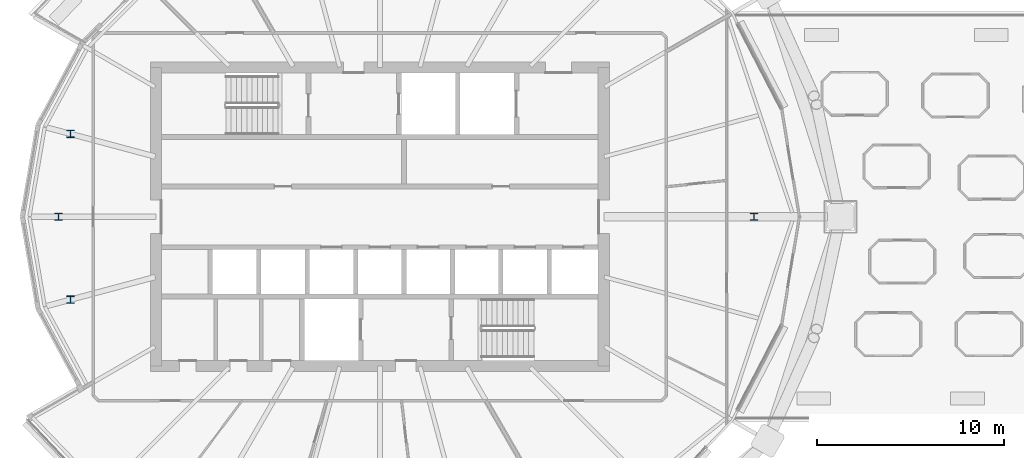
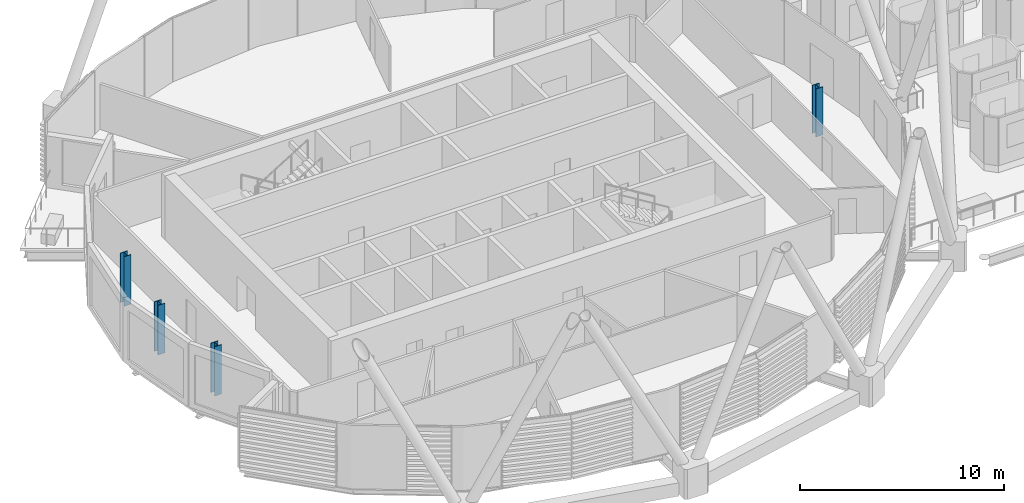
# One storey, part 1 of 38: 4 columns.
"""IFC4 building model written with IfcOpenShell, lengths in metres."""

from ifc_helpers import new_model, si_unit, direction, frame, origin, origin_2d, place, context, subcontext, project, spatial, i_section, extrude, material, material_profile, profile_set, type_object, element, save


model = new_model("IFC4")

# Units and contexts
model_context = context("Model", 3, precision=1e-05, world=origin(), true_north=direction((0.0, 1.0)))
body_context = subcontext(model_context, "Body", "Model", "MODEL_VIEW")
ifc_project = project(units=[si_unit("LENGTHUNIT", "METRE"), si_unit("AREAUNIT", "SQUARE_METRE"), si_unit("VOLUMEUNIT", "CUBIC_METRE"), si_unit("PLANEANGLEUNIT", "RADIAN"), si_unit("MASSUNIT", "GRAM", prefix="KILO")], contexts=[model_context])

# Site, building, storey
site_placement = place(None, origin())
site = spatial("IfcSite", under=ifc_project, at=site_placement, CompositionType="ELEMENT")
building_placement = place(site_placement, origin())
building = spatial("IfcBuilding", under=site, at=building_placement, Name="Rimbun Link Towers", CompositionType="ELEMENT")
storey_placement = place(building_placement, frame((0.0, 0.0, 158.89990234375)))
storey = spatial("IfcBuildingStorey", under=building, at=storey_placement, Name="L38", CompositionType="ELEMENT", Elevation=158.89990234375)

# Columns
ifc_material = material(Name="Steel S355J2", Category="steel")
ifc_material_profile = material_profile(ifc_material, i_section(OverallWidth=0.39892578125, OverallDepth=0.3935546875, WebThickness=0.022705078125, FlangeThickness=0.03662109375, at=origin_2d()), Name="UC 356x406x287")
ifc_profile_set = profile_set([ifc_material_profile], Name="Steel S355J2")
column_type = type_object("IfcColumnType", Name="UC 356x406x287", PredefinedType="COLUMN", material=ifc_profile_set)
column_placement = place(storey_placement, frame((-11.6923828125, 0.0, -0.14990234375), z_axis=(0.0, 0.0, 1.0), x_axis=(1.0, 0.0, 0.0)))
element("IfcColumn", 1, at=column_placement, inside=storey, type_object=column_type, Name="Crease post T1 L38 00", PredefinedType="COLUMN", context=body_context, shape_type="SweptSolid", body=[
    extrude(i_section(OverallWidth=0.39892578125, OverallDepth=0.3935546875, WebThickness=0.022705078125, FlangeThickness=0.03662109375, at=origin_2d()), origin(), (0.0, 0.0, 1.0), 2.881591796875),
])
for number, where, z_axis, x_axis, name in (
    (2, (-48.318359375, 4.439453125, -0.14990234375), (0.0, 0.0, 1.0), (1.0, 0.0, 0.0), "Crease post T1 L38 11"),
    (3, (-48.964111328125, 0.0, -0.14990234375), (0.0, 0.0, 1.0), (1.0, 0.0, 0.0), "Crease post T1 L38 12"),
    (4, (-48.318359375, -4.439453125, -0.14990234375), (0.0, 0.0, 1.0), (1.0, 0.0, 0.0), "Crease post T1 L38 13"),
):
    element("IfcColumn", number, at=place(storey_placement, frame(where, z_axis=z_axis, x_axis=x_axis)), inside=storey, type_object=column_type, Name=name, PredefinedType="COLUMN", context=body_context, shape_type="SweptSolid", body=[
        extrude(i_section(OverallWidth=0.39892578125, OverallDepth=0.3935546875, WebThickness=0.022705078125, FlangeThickness=0.03662109375, at=origin_2d()), origin(), (0.0, 0.0, 1.0), 2.959228515625),
    ])

save(model, "model.ifc")
